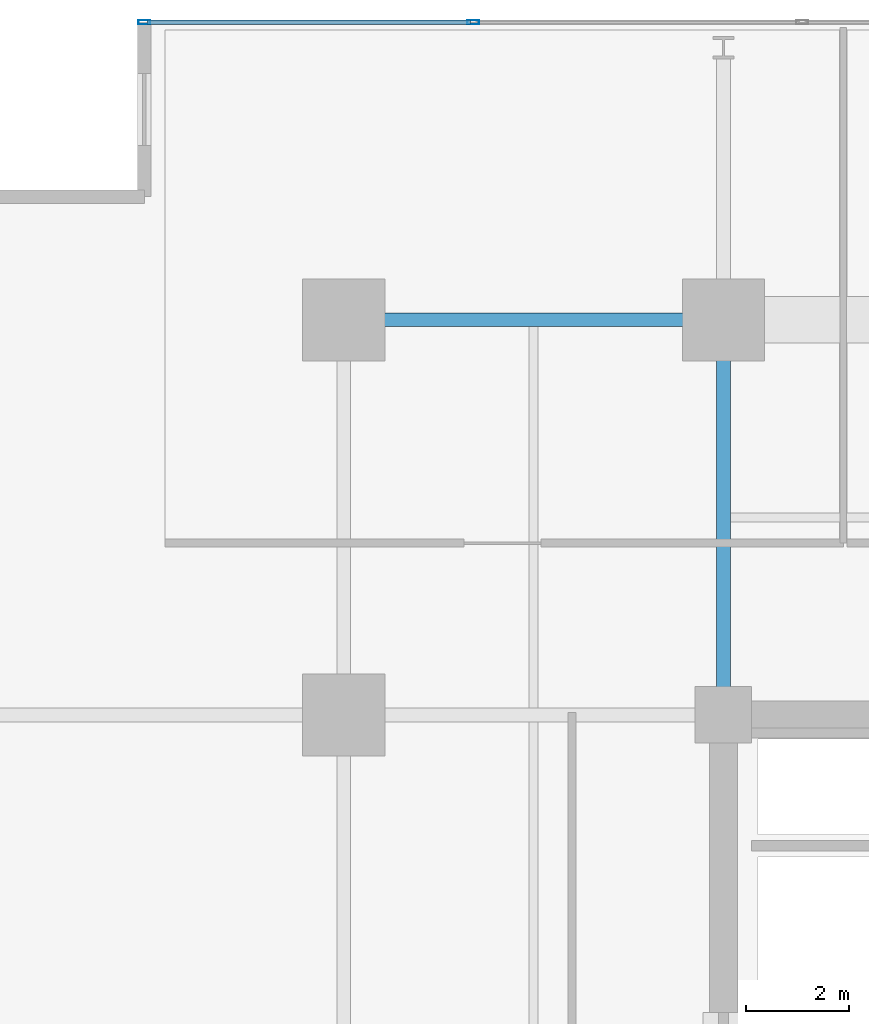
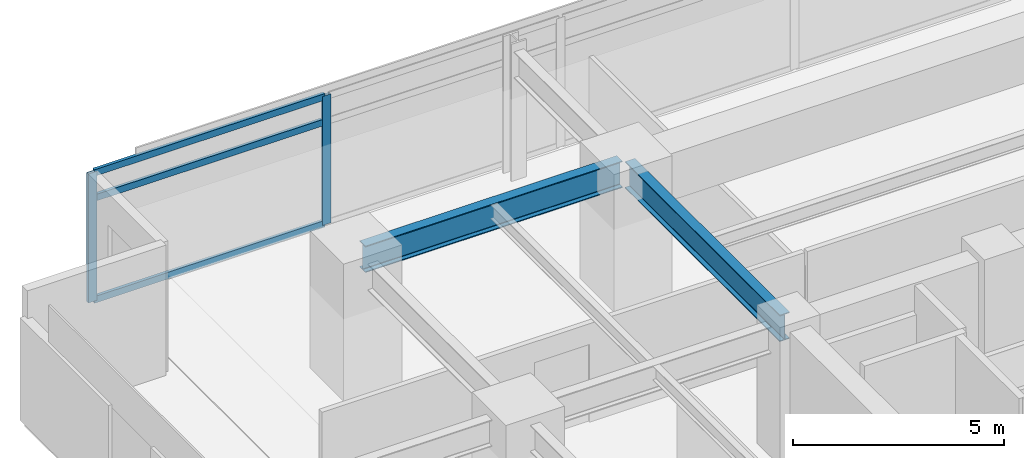
# One storey, part 6 of 23: 5 members, 2 beams, 1 element without a shape of its own.
"""IFC4 building model written with IfcOpenShell, lengths in metres."""

from ifc_helpers import new_model, si_unit, direction, frame, origin, origin_2d, place, context, subcontext, project, spatial, hollow_rectangle, i_section, extrude, material, material_profile, profile_set, type_object, element, aggregate, save


model = new_model("IFC4")

# Units and contexts
model_context = context("Model", 3, precision=1e-05, world=origin(), true_north=direction((0.0, 1.0)))
body_context = subcontext(model_context, "Body", "Model", "MODEL_VIEW")
ifc_project = project(units=[si_unit("LENGTHUNIT", "METRE"), si_unit("AREAUNIT", "SQUARE_METRE"), si_unit("VOLUMEUNIT", "CUBIC_METRE"), si_unit("PLANEANGLEUNIT", "RADIAN"), si_unit("MASSUNIT", "GRAM", prefix="KILO")], contexts=[model_context])

# Site, building, storey
site_placement = place(None, origin())
site = spatial("IfcSite", under=ifc_project, at=site_placement, CompositionType="ELEMENT")
building_placement = place(site_placement, origin())
building = spatial("IfcBuilding", under=site, at=building_placement, Name="Kovane Verandah Tower", CompositionType="ELEMENT")
storey_placement = place(building_placement, frame((0.0, 0.0, 136.39990234375)))
storey = spatial("IfcBuildingStorey", under=building, at=storey_placement, Name="L31", CompositionType="ELEMENT", Elevation=136.39990234375)

# Beams
ifc_material_1 = material(Name="Steel S355", Category="steel")
ifc_material_profile_1 = material_profile(ifc_material_1, i_section(OverallWidth=0.26806640625, OverallDepth=0.769775390625, WebThickness=0.015625, FlangeThickness=0.025390625, FilletRadius=0.0166015625, at=origin_2d()), Name="UB762x267x197")
ifc_profile_set_1 = profile_set([ifc_material_profile_1], Name="Steel S355")
beam_type = type_object("IfcBeamType", Name="BM-UB762x197", PredefinedType="BEAM", material=ifc_profile_set_1)
beam_1_placement = place(storey_placement, frame((21.780029296875, 44.199951171875, 3.39013671875), z_axis=(1.0, 0.0, 0.0), x_axis=(0.0, 1.0, 0.0)))
element("IfcBeam", 1, at=beam_1_placement, inside=storey, type_object=beam_type, Name="L31 Primary Tower Girder G-RN1", PredefinedType="BEAM", context=body_context, shape_type="SweptSolid", body=[
    extrude(i_section(OverallWidth=0.26806640625, OverallDepth=0.769775390625, WebThickness=0.015625, FlangeThickness=0.025390625, FilletRadius=0.0166015625, at=origin_2d()), origin(), (0.0, 0.0, 1.0), 7.0400390625),
])
beam_2_placement = place(storey_placement, frame((29.0, 36.679931640625, 3.39013671875), z_axis=(0.0, 1.0, 0.0), x_axis=(-1.0, 0.0, 0.0)))
element("IfcBeam", 2, at=beam_2_placement, inside=storey, type_object=beam_type, Name="L31 Primary Tower Girder G-N1", PredefinedType="BEAM", context=body_context, shape_type="SweptSolid", body=[
    extrude(i_section(OverallWidth=0.26806640625, OverallDepth=0.769775390625, WebThickness=0.015625, FlangeThickness=0.025390625, FilletRadius=0.0166015625, at=origin_2d()), origin(), (0.0, 0.0, 1.0), 7.340087890625),
])

# Curtain wall, members
ifc_material_2 = material(Name="Champagne Anodised Aluminium Frame with Low-E Clear Laminated Glass", Category="aluminium")
curtain_wall_type = type_object("IfcCurtainWallType", Name="CW-SYS-03-MID", PredefinedType="NOTDEFINED", material=ifc_material_2)
curtain_wall_placement = place(storey_placement, origin())
curtain_wall = element("IfcCurtainWall", 3, at=curtain_wall_placement, inside=storey, type_object=curtain_wall_type, Name="L31 N Unitised Curtain Wall", PredefinedType="NOTDEFINED")
ifc_material_3 = material(Name="Champagne Anodised Aluminium 6063-T6", Category="aluminium")
ifc_material_profile_2 = material_profile(ifc_material_3, hollow_rectangle(XDim=0.0849609375, YDim=0.22998046875, WallThickness=0.00390625, at=origin_2d()), Name="AL85x230x4")
ifc_profile_set_2 = profile_set([ifc_material_profile_2], Name="Champagne Anodised Aluminium 6063-T6")
member_type_1 = type_object("IfcMemberType", Name="CW-MUL-85x230", PredefinedType="MULLION", material=ifc_profile_set_2)
member_1_placement = place(storey_placement, frame((24.12451171875, 50.00048828125, 0.02001953125), z_axis=(0.0, 0.0, 1.0), x_axis=(0.0, 1.0, 0.0)))
member_1 = element("IfcMember", 4, at=member_1_placement, type_object=member_type_1, Name="L31 N Unitised Curtain Wall Mullion 7", PredefinedType="MULLION", context=body_context, shape_type="SweptSolid", body=[
    extrude(hollow_rectangle(XDim=0.0849609375, YDim=0.22998046875, WallThickness=0.00390625, at=origin_2d()), origin(), (0.0, 0.0, 1.0), 3.735107421875),
])
member_2_placement = place(storey_placement, frame((17.713623046875, 50.00048828125, 0.02001953125), z_axis=(0.0, 0.0, 1.0), x_axis=(0.0, 1.0, 0.0)))
member_2 = element("IfcMember", 5, at=member_2_placement, type_object=member_type_1, Name="L31 N Unitised Curtain Wall Mullion 8", PredefinedType="MULLION", context=body_context, shape_type="SweptSolid", body=[
    extrude(hollow_rectangle(XDim=0.0849609375, YDim=0.22998046875, WallThickness=0.00390625, at=origin_2d()), origin(), (0.0, 0.0, 1.0), 3.735107421875),
])
ifc_material_profile_3 = material_profile(ifc_material_3, hollow_rectangle(XDim=0.0849609375, YDim=0.18994140625, WallThickness=0.00390625, at=origin_2d()), Name="AL85x190x4")
ifc_profile_set_3 = profile_set([ifc_material_profile_3], Name="Champagne Anodised Aluminium 6063-T6")
member_type_2 = type_object("IfcMemberType", Name="CW-TRN-85x190", PredefinedType="USERDEFINED", material=ifc_profile_set_3)
member_3_placement = place(storey_placement, frame((24.074462890625, 50.00048828125, 0.050048828125), z_axis=(-1.0, 0.0, 0.0), x_axis=(0.0, -1.0, 0.0)))
member_3 = element("IfcMember", 6, at=member_3_placement, type_object=member_type_2, Name="L31 N Unitised Curtain Wall Transom TB Bay 7", ObjectType="TRANSOM", PredefinedType="USERDEFINED", context=body_context, shape_type="SweptSolid", body=[
    extrude(hollow_rectangle(XDim=0.0849609375, YDim=0.18994140625, WallThickness=0.00390625, at=origin_2d()), origin(), (0.0, 0.0, 1.0), 6.310791015625),
])
member_4_placement = place(storey_placement, frame((24.074462890625, 50.00048828125, 2.9951171875), z_axis=(-1.0, 0.0, 0.0), x_axis=(0.0, -1.0, 0.0)))
member_4 = element("IfcMember", 7, at=member_4_placement, type_object=member_type_2, Name="L31 N Unitised Curtain Wall Transom TM Bay 7", ObjectType="TRANSOM", PredefinedType="USERDEFINED", context=body_context, shape_type="SweptSolid", body=[
    extrude(hollow_rectangle(XDim=0.0849609375, YDim=0.18994140625, WallThickness=0.00390625, at=origin_2d()), origin(), (0.0, 0.0, 1.0), 6.310791015625),
])
member_5_placement = place(storey_placement, frame((24.074462890625, 50.00048828125, 3.72509765625), z_axis=(-1.0, 0.0, 0.0), x_axis=(0.0, -1.0, 0.0)))
member_5 = element("IfcMember", 8, at=member_5_placement, type_object=member_type_2, Name="L31 N Unitised Curtain Wall Transom TT Bay 7", ObjectType="TRANSOM", PredefinedType="USERDEFINED", context=body_context, shape_type="SweptSolid", body=[
    extrude(hollow_rectangle(XDim=0.0849609375, YDim=0.18994140625, WallThickness=0.00390625, at=origin_2d()), origin(), (0.0, 0.0, 1.0), 6.310791015625),
])
aggregate(curtain_wall, [member_1, member_2, member_3, member_4, member_5])

save(model, "model.ifc")
